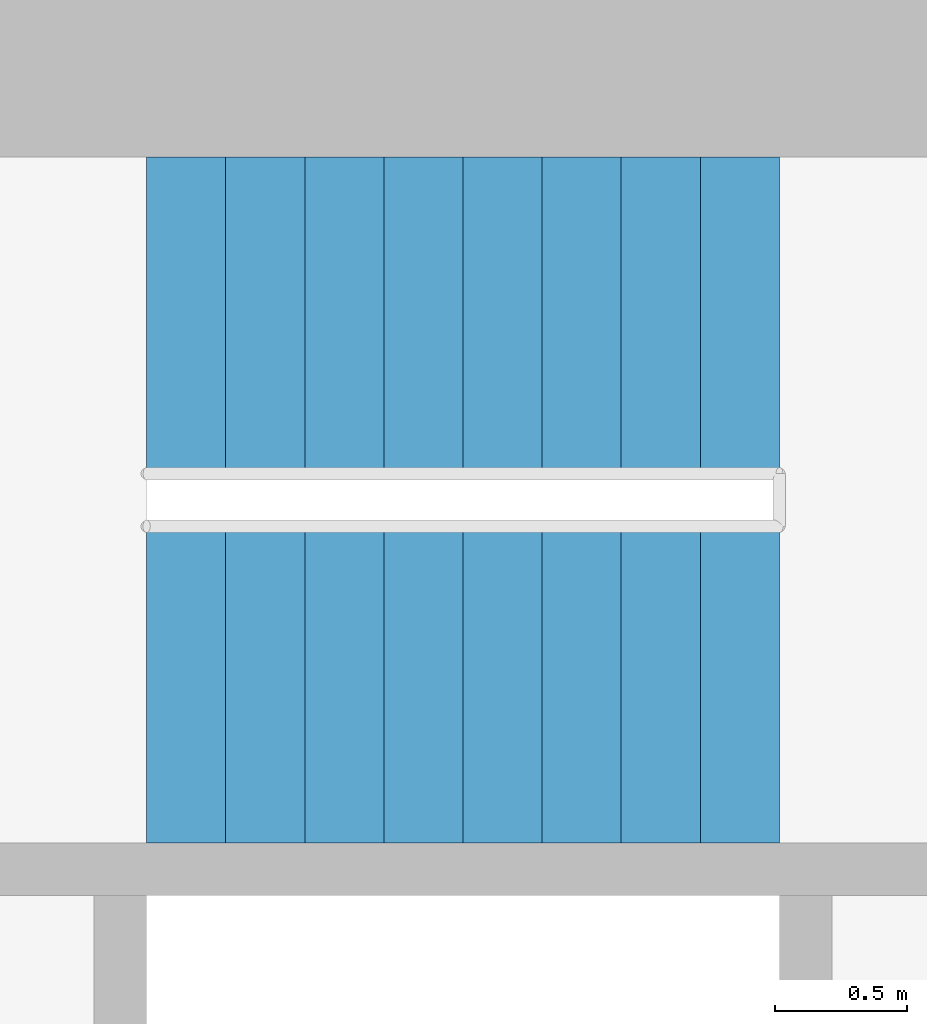
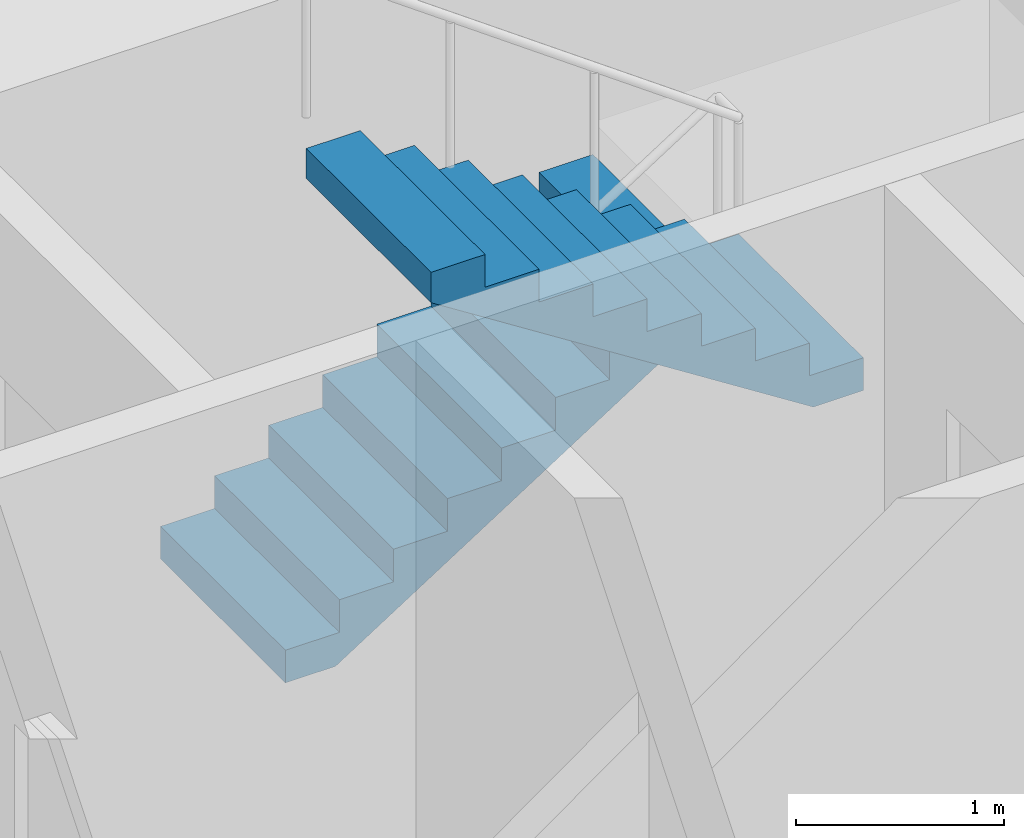
# One storey, part 12 of 14: 2 stair flights, 1 element without a shape of its own.
"""IFC4 building model written with IfcOpenShell, lengths in metres."""

import ifcopenshell
import ifcopenshell.guid

model = None  # the IFC model being written
_history = None  # IfcOwnerHistory: only IFC2X3 demands one
_inside = {}  # id of a spatial element -> (the spatial element, [elements in it])
_under = {}  # id of a project, library or spatial element -> (it, [spatial elements below it])
_declared = {}  # id of a project -> (the project, [libraries it declares])
_typed = {}  # id of a type object -> (the type object, [elements of that type])
_made_of = {}  # id of a material, layer set ... -> (it, [elements and type objects made of it])


def new_model(schema):
    """Start an empty IFC model of exactly this schema.

    Asked for "IFC4X3", IfcOpenShell would pick the latest addendum, in which some entities
    have other attributes; the version numbers below select the first issue.
    IFC2X3 requires an IfcOwnerHistory on every rooted entity: one is made here for all.
    """
    global model, _history
    if schema == "IFC4X3":
        model = ifcopenshell.file(schema_version=(4, 3, 0, 0))
    else:
        model = ifcopenshell.file(schema=schema)
    _inside.clear()
    _under.clear()
    _declared.clear()
    _typed.clear()
    _made_of.clear()
    _history = None
    if model.schema == "IFC2X3":
        org = make("IfcOrganization", Name="unknown")
        user = make(
            "IfcPersonAndOrganization",
            ThePerson=make("IfcPerson", FamilyName="unknown"),
            TheOrganization=org,
        )
        app = make(
            "IfcApplication",
            ApplicationDeveloper=org,
            Version="unknown",
            ApplicationFullName="unknown",
            ApplicationIdentifier="unknown",
        )
        _history = make(
            "IfcOwnerHistory",
            OwningUser=user,
            OwningApplication=app,
            ChangeAction="ADDED",
            CreationDate=0,
        )
    return model


def make(cls, **values):
    """One entity of the class cls with the attributes given. An attribute that is None is left unset."""
    return model.create_entity(
        cls, **{name: value for name, value in values.items() if value is not None}
    )


def rooted(cls, **values):
    """An entity with a GlobalId (a new one), such as an element, a storey or a relation."""
    return make(cls, GlobalId=ifcopenshell.guid.new(), OwnerHistory=_history, **values)


def si_unit(unit_type, name, prefix=None):
    """IfcSIUnit, for example si_unit("LENGTHUNIT", "METRE", prefix="MILLI")."""
    return make("IfcSIUnit", UnitType=unit_type, Prefix=prefix, Name=name)


def assignment(units):
    """IfcUnitAssignment: the units of a project."""
    return None if units is None else make("IfcUnitAssignment", Units=units)


def point(xyz):
    """IfcCartesianPoint."""
    return None if xyz is None else make("IfcCartesianPoint", Coordinates=xyz)


def direction(xyz):
    """IfcDirection."""
    return None if xyz is None else make("IfcDirection", DirectionRatios=xyz)


def frame(location, z_axis=None, x_axis=None):
    """IfcAxis2Placement3D, a coordinate frame: its origin and axes. An axis left out is left unset."""
    return make(
        "IfcAxis2Placement3D",
        Location=point(location),
        Axis=direction(z_axis),
        RefDirection=direction(x_axis),
    )


def origin():
    """The frame at (0, 0, 0) with its axes left unset."""
    return frame((0.0, 0.0, 0.0))


def place(relative_to, where):
    """IfcLocalPlacement: puts the frame where relative to a parent placement (None: the world)."""
    return make(
        "IfcLocalPlacement", PlacementRelTo=relative_to, RelativePlacement=where
    )


def context(
    kind, dimensions, precision=None, world=None, true_north=None, identifier=None
):
    """IfcGeometricRepresentationContext, for example the 3D "Model" context."""
    return make(
        "IfcGeometricRepresentationContext",
        ContextIdentifier=identifier,
        ContextType=kind,
        CoordinateSpaceDimension=dimensions,
        Precision=precision,
        WorldCoordinateSystem=world,
        TrueNorth=true_north,
    )


def subcontext(parent, identifier, kind, view, scale=None):
    """IfcGeometricRepresentationSubContext, for example "Body" below "Model"."""
    return make(
        "IfcGeometricRepresentationSubContext",
        ContextIdentifier=identifier,
        ContextType=kind,
        ParentContext=parent,
        TargetScale=scale,
        TargetView=view,
    )


def project(units=None, contexts=None):
    """IfcProject with its units and contexts."""
    return rooted(
        "IfcProject",
        Name="project",
        RepresentationContexts=contexts,
        UnitsInContext=assignment(units),
    )


def spatial(cls, under=None, at=None, **own):
    """A site, building, storey or space (cls), placed at a placement, below another one or the project."""
    s = rooted(cls, ObjectPlacement=at, **own)
    if under is not None:
        _under.setdefault(under.id(), (under, []))[1].append(s)
    return s


def polyline(points):
    """IfcPolyline through the points."""
    return make("IfcPolyline", Points=[point(p) for p in points])


def outline(outer, holes=None, kind="AREA"):
    """IfcArbitraryClosedProfileDef: a profile drawn as a closed curve; with holes, ...WithVoids."""
    if holes is None:
        return make("IfcArbitraryClosedProfileDef", ProfileType=kind, OuterCurve=outer)
    return make(
        "IfcArbitraryProfileDefWithVoids",
        ProfileType=kind,
        OuterCurve=outer,
        InnerCurves=holes,
    )


def extrude(swept, where, along, depth):
    """IfcExtrudedAreaSolid: the profile swept, set in the frame where, extruded along a direction by depth."""
    return make(
        "IfcExtrudedAreaSolid",
        SweptArea=swept,
        Position=where,
        ExtrudedDirection=direction(along),
        Depth=depth,
    )


def shape(context_of_items, identifier, shape_type, items):
    """IfcShapeRepresentation: the items that make up one representation, for example the "Body"."""
    return make(
        "IfcShapeRepresentation",
        ContextOfItems=context_of_items,
        RepresentationIdentifier=identifier,
        RepresentationType=shape_type,
        Items=items,
    )


def material(Name=None, Category=None):
    """IfcMaterial."""
    return make("IfcMaterial", Name=Name, Category=Category)


def made_of(thing, what):
    """Note that an element or type object is made of a material, layer set ...; save() writes the relation."""
    if what is not None:
        _made_of.setdefault(what.id(), (what, []))[1].append(thing)
    return thing


def type_object(cls, material=None, **own):
    """A type object (cls), such as IfcWallType, which elements share."""
    return made_of(rooted(cls, **own), material)


def element(
    cls,
    number,
    at=None,
    inside=None,
    cuts=None,
    type_object=None,
    material=None,
    context=None,
    identifier="Body",
    shape_type=None,
    held_by="IfcProductDefinitionShape",
    body=None,
    shapes=None,
    **own,
):
    """One element of the class cls, such as IfcWall. Its Tag is "e" and its number.

    at: its placement. inside: the storey or other place that contains it. cuts: it is an
    opening in that element (IfcRelVoidsElement). A single representation is given by context,
    identifier, shape_type and body (its items); several are given by shapes. held_by: the class
    of the entity that holds the representations. save() writes the other relations.
    """
    e = rooted(cls, Tag="e%d" % number, ObjectPlacement=at, **own)
    if body is not None:
        shapes = [shape(context, identifier, shape_type, body)]
    if shapes is not None:
        e.Representation = make(held_by, Representations=shapes)
    if inside is not None:
        _inside.setdefault(inside.id(), (inside, []))[1].append(e)
    if cuts is not None:
        rooted(
            "IfcRelVoidsElement", RelatingBuildingElement=cuts, RelatedOpeningElement=e
        )
    if type_object is not None:
        _typed.setdefault(type_object.id(), (type_object, []))[1].append(e)
    return made_of(e, material)


def aggregate(whole, parts):
    """IfcRelAggregates: a whole, such as a stair, and the parts it consists of."""
    return rooted("IfcRelAggregates", RelatingObject=whole, RelatedObjects=parts)


def save(model, path):
    """Write the relations noted so far, then the file.

    IfcRelAggregates (storeys below a building ...), IfcRelContainedInSpatialStructure (elements
    in a storey), IfcRelDefinesByType, IfcRelAssociatesMaterial and IfcRelDeclares: one each for
    every whole, place, type object, material and project.
    """
    for whole, parts in _under.values():
        aggregate(whole, parts)
    for where, things in _inside.values():
        rooted(
            "IfcRelContainedInSpatialStructure",
            RelatedElements=things,
            RelatingStructure=where,
        )
    for kind, things in _typed.values():
        rooted("IfcRelDefinesByType", RelatedObjects=things, RelatingType=kind)
    for what, things in _made_of.values():
        rooted("IfcRelAssociatesMaterial", RelatedObjects=things, RelatingMaterial=what)
    for by, libraries in _declared.values():
        rooted("IfcRelDeclares", RelatingContext=by, RelatedDefinitions=libraries)
    model.write(path)


model = new_model("IFC4")

# Units and contexts
model_context = context("Model", 3, precision=1e-05, world=origin(), true_north=direction((0.0, 1.0)))
body_context = subcontext(model_context, "Body", "Model", "MODEL_VIEW")
ifc_project = project(units=[si_unit("LENGTHUNIT", "METRE"), si_unit("AREAUNIT", "SQUARE_METRE"), si_unit("VOLUMEUNIT", "CUBIC_METRE"), si_unit("PLANEANGLEUNIT", "RADIAN"), si_unit("MASSUNIT", "GRAM", prefix="KILO")], contexts=[model_context])

# Site, building, storey
site_placement = place(None, origin())
site = spatial("IfcSite", under=ifc_project, at=site_placement, CompositionType="ELEMENT")
building_placement = place(site_placement, origin())
building = spatial("IfcBuilding", under=site, at=building_placement, Name="Kitamizu Gate Tower and Museum", CompositionType="ELEMENT")
storey_placement = place(building_placement, frame((0.0, 0.0, 67.949951171875)))
storey = spatial("IfcBuildingStorey", under=building, at=storey_placement, Name="L16", CompositionType="ELEMENT", Elevation=67.949951171875)

# Stair, stair flights
ifc_material_1 = material(Name="Concrete Fc42", Category="concrete")
stair_type = type_object("IfcStairType", Name="Exit stair 1200 wide 192 rise 300 going", PredefinedType="HALF_TURN_STAIR", material=ifc_material_1)
stair_placement = place(storey_placement, origin())
stair = element("IfcStair", 1, at=stair_placement, inside=storey, type_object=stair_type, Name="Exit stair ST4", PredefinedType="HALF_TURN_STAIR")
ifc_material_2 = material(Name="Concrete Fc42", Category="concrete")
stair_flight_type = type_object("IfcStairFlightType", Name="Stair flight 1200 wide 192 rise 300 going", PredefinedType="STRAIGHT", material=ifc_material_2)
stair_flight_1_placement = place(storey_placement, frame((54.10009765625, 37.10009765625, 0.0), z_axis=(0.0, 0.0, 1.0), x_axis=(1.0, 0.0, 0.0)))
stair_flight_1 = element("IfcStairFlight", 2, at=stair_flight_1_placement, type_object=stair_flight_type, Name="ST4 flight 1", NumberOfRisers=9, NumberOfTreads=8, PredefinedType="STRAIGHT", RiserHeight=0.191666667, TreadLength=0.3, context=body_context, shape_type="SweptSolid", body=[
    extrude(outline(polyline([(0.0, 0.0), (0.0, 0.191650390625), (0.300048828125, 0.191650390625), (0.300048828125, 0.38330078125), (0.60009765625, 0.38330078125), (0.60009765625, 0.574951171875), (0.89990234375, 0.574951171875), (0.89990234375, 0.7666015625), (1.199951171875, 0.7666015625), (1.199951171875, 0.958251953125), (1.5, 0.958251953125), (1.5, 1.14990234375), (1.800048828125, 1.14990234375), (1.800048828125, 1.341552734375), (2.10009765625, 1.341552734375), (2.10009765625, 1.533447265625), (2.39990234375, 1.533447265625), (2.39990234375, 1.72509765625), (2.39990234375, 1.35546875), (0.2783203125, 0.0), (0.0, 0.0)])), frame((0.0, 0.60009765625, 0.0), z_axis=(0.0, -1.0, 0.0), x_axis=(1.0, 0.0, 0.0)), (0.0, 0.0, 1.0), 1.199951171875),
])
stair_flight_2_placement = place(storey_placement, frame((56.5, 35.699951171875, 1.72509765625), z_axis=(0.0, 0.0, 1.0), x_axis=(-1.0, 0.0, 0.0)))
stair_flight_2 = element("IfcStairFlight", 3, at=stair_flight_2_placement, type_object=stair_flight_type, Name="ST4 flight 2", NumberOfRisers=9, NumberOfTreads=8, PredefinedType="STRAIGHT", RiserHeight=0.191666667, TreadLength=0.3, context=body_context, shape_type="SweptSolid", body=[
    extrude(outline(polyline([(0.0, 0.0), (0.0, 0.191650390625), (0.300048828125, 0.191650390625), (0.300048828125, 0.38330078125), (0.60009765625, 0.38330078125), (0.60009765625, 0.574951171875), (0.89990234375, 0.574951171875), (0.89990234375, 0.7666015625), (1.199951171875, 0.7666015625), (1.199951171875, 0.958251953125), (1.5, 0.958251953125), (1.5, 1.14990234375), (1.800048828125, 1.14990234375), (1.800048828125, 1.341552734375), (2.10009765625, 1.341552734375), (2.10009765625, 1.533447265625), (2.39990234375, 1.533447265625), (2.39990234375, 1.72509765625), (2.39990234375, 1.35546875), (0.2783203125, 0.0), (0.0, 0.0)])), frame((0.0, 0.60009765625, 0.0), z_axis=(0.0, -1.0, 0.0), x_axis=(1.0, 0.0, 0.0)), (0.0, 0.0, 1.0), 1.199951171875),
])
aggregate(stair, [stair_flight_1, stair_flight_2])

save(model, "model.ifc")
